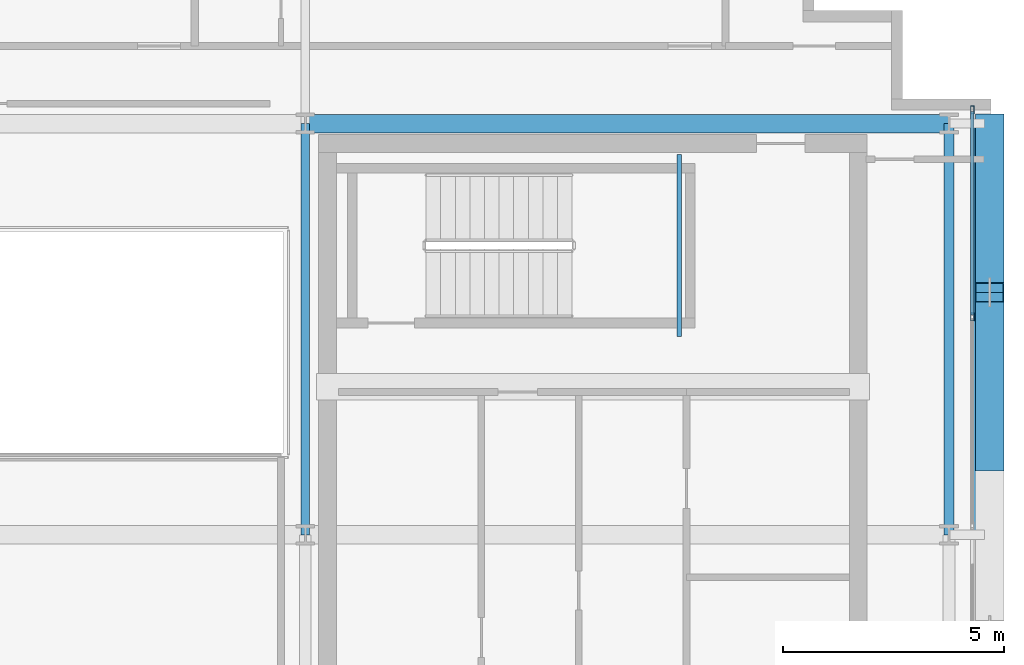
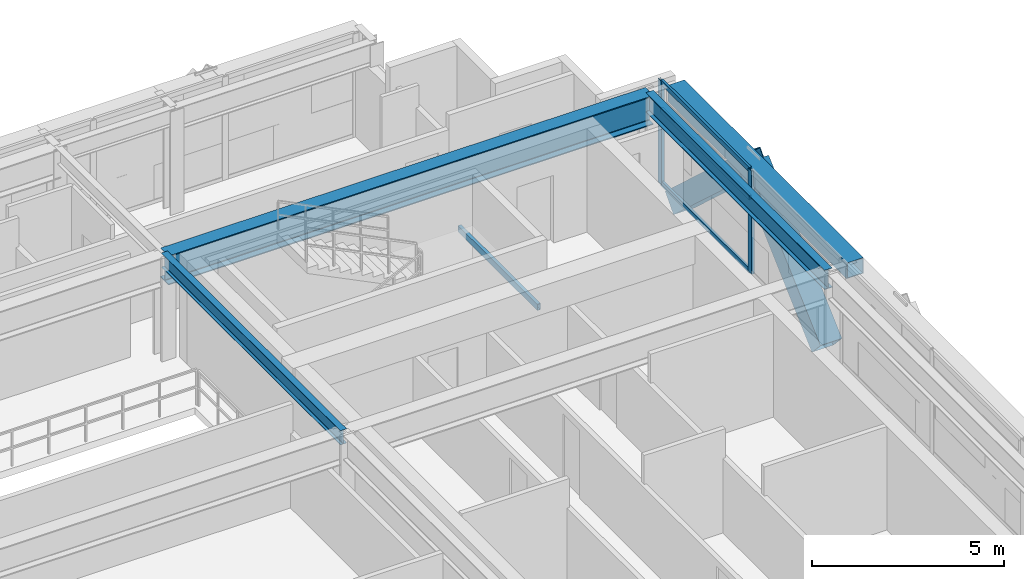
# One storey, part 13 of 28: 7 members, 5 beams, 1 element without a shape of its own.
"""IFC4 building model written with IfcOpenShell, lengths in metres."""

from ifc_helpers import new_model, si_unit, direction, frame, origin, origin_2d, place, context, subcontext, project, spatial, hollow_rectangle, i_section, extrude, source, transform, mapped, material, layer, layer_set, material_profile, profile_set, type_object, element, aggregate, save


model = new_model("IFC4")

# Units and contexts
model_context = context("Model", 3, precision=1e-05, world=origin(), true_north=direction((0.0, 1.0)))
body_context = subcontext(model_context, "Body", "Model", "MODEL_VIEW")
ifc_project = project(units=[si_unit("LENGTHUNIT", "METRE"), si_unit("AREAUNIT", "SQUARE_METRE"), si_unit("VOLUMEUNIT", "CUBIC_METRE"), si_unit("PLANEANGLEUNIT", "RADIAN"), si_unit("MASSUNIT", "GRAM", prefix="KILO")], contexts=[model_context])

# Site, building, storey
site_placement = place(None, origin())
site = spatial("IfcSite", under=ifc_project, at=site_placement, CompositionType="ELEMENT")
building_placement = place(site_placement, origin())
building = spatial("IfcBuilding", under=site, at=building_placement, Name="Ocotamira Hotel", CompositionType="ELEMENT")
storey_placement = place(building_placement, frame((0.0, 0.0, 243.60009765625)))
storey = spatial("IfcBuildingStorey", under=building, at=storey_placement, Name="L61", CompositionType="ELEMENT", Elevation=243.60009765625)

# Beams
ifc_material_1 = material(Name="Steel ASTM A500 Grade C", Category="steel")
ifc_material_profile_1 = material_profile(ifc_material_1, hollow_rectangle(XDim=0.10009765625, YDim=0.199951171875, WallThickness=0.008056640625, at=origin_2d()), Name="HSS200X100X8")
ifc_profile_set_1 = profile_set([ifc_material_profile_1], Name="Steel ASTM A500 Grade C")
beam_type_1 = type_object("IfcBeamType", Name="BM-STLDG-HSS200", PredefinedType="BEAM", material=ifc_profile_set_1)
shared_shape_1 = source(origin(), body_context, "Body", "SweptSolid", [
    extrude(hollow_rectangle(XDim=0.10009765625, YDim=0.199951171875, WallThickness=0.008056640625, at=origin_2d()), origin(), (0.0, 0.0, 1.0), 4.1201171875),
])
beam_1_placement = place(storey_placement, frame((48.949951171875, 32.6298828125, 1.5), z_axis=(0.0, 1.0, 0.0), x_axis=(-1.0, 0.0, 0.0)))
element("IfcBeam", 1, at=beam_1_placement, inside=storey, type_object=beam_type_1, Name="L61 Stair ST-4 Landing Bearer 1", PredefinedType="BEAM", context=body_context, shape_type="MappedRepresentation", body=[
    mapped(shared_shape_1, transform((0.0, 0.0, 0.0), scale=1.0)),
])
ifc_material_2 = material(Name="Steel ASTM A992 Grade 50", Category="steel")
ifc_material_profile_2 = material_profile(ifc_material_2, i_section(OverallWidth=0.41796875, OverallDepth=0.927001953125, WebThickness=0.019287109375, FlangeThickness=0.031982421875, FilletRadius=0.02392578125, at=origin_2d()), Name="W36X231")
ifc_profile_set_2 = profile_set([ifc_material_profile_2], Name="Steel ASTM A992 Grade 50")
beam_type_2 = type_object("IfcBeamType", Name="BM-GIRD-W36X231", PredefinedType="BEAM", material=ifc_profile_set_2)
shared_shape_2 = source(origin(), body_context, "Body", "SweptSolid", [
    extrude(i_section(OverallWidth=0.41796875, OverallDepth=0.927001953125, WebThickness=0.019287109375, FlangeThickness=0.031982421875, FilletRadius=0.02392578125, at=origin_2d()), origin(), (0.0, 0.0, 1.0), 14.550048828125),
])
beam_2_placement = place(storey_placement, frame((40.5, 37.449951171875, 2.81640625), z_axis=(1.0, 0.0, 0.0), x_axis=(0.0, 1.0, 0.0)))
element("IfcBeam", 2, at=beam_2_placement, inside=storey, type_object=beam_type_2, Name="L61 Girder Y37.45 X40.5-55.05", PredefinedType="BEAM", context=body_context, shape_type="MappedRepresentation", body=[
    mapped(shared_shape_2, transform((0.0, 0.0, 0.0), scale=1.0)),
])
ifc_material_profile_3 = material_profile(ifc_material_2, i_section(OverallWidth=0.22998046875, OverallDepth=0.616943359375, WebThickness=0.01318359375, FlangeThickness=0.022216796875, FilletRadius=0.012939453125, at=origin_2d()), Name="W24X94")
ifc_profile_set_3 = profile_set([ifc_material_profile_3], Name="Steel ASTM A992 Grade 50")
beam_type_3 = type_object("IfcBeamType", Name="BM-PRIM-W24X94", PredefinedType="BEAM", material=ifc_profile_set_3)
shared_shape_3 = source(origin(), body_context, "Body", "SweptSolid", [
    extrude(i_section(OverallWidth=0.22998046875, OverallDepth=0.616943359375, WebThickness=0.01318359375, FlangeThickness=0.022216796875, FilletRadius=0.012939453125, at=origin_2d()), origin(), (0.0, 0.0, 1.0), 9.300048828125),
])
beam_3_placement = place(storey_placement, frame((55.050048828125, 28.14990234375, 2.971435546875), z_axis=(0.0, 1.0, 0.0), x_axis=(-1.0, 0.0, 0.0)))
element("IfcBeam", 3, at=beam_3_placement, inside=storey, type_object=beam_type_3, Name="L61 Beam X55.05 Y28.15-37.45", PredefinedType="BEAM", context=body_context, shape_type="MappedRepresentation", body=[
    mapped(shared_shape_3, transform((0.0, 0.0, 0.0), scale=1.0)),
])
ifc_material_profile_4 = material_profile(ifc_material_2, i_section(OverallWidth=0.18994140625, OverallDepth=0.45703125, WebThickness=0.009033203125, FlangeThickness=0.014404296875, FilletRadius=0.010009765625, at=origin_2d()), Name="W18X50")
ifc_profile_set_4 = profile_set([ifc_material_profile_4], Name="Steel ASTM A992 Grade 50")
beam_type_4 = type_object("IfcBeamType", Name="BM-SEC-W18X50", PredefinedType="JOIST", material=ifc_profile_set_4)
shared_shape_4 = source(origin(), body_context, "Body", "SweptSolid", [
    extrude(i_section(OverallWidth=0.18994140625, OverallDepth=0.45703125, WebThickness=0.009033203125, FlangeThickness=0.014404296875, FilletRadius=0.010009765625, at=origin_2d()), origin(), (0.0, 0.0, 1.0), 9.300048828125),
])
beam_4_placement = place(storey_placement, frame((40.5, 28.14990234375, 3.051513671875), z_axis=(0.0, 1.0, 0.0), x_axis=(-1.0, 0.0, 0.0)))
element("IfcBeam", 4, at=beam_4_placement, inside=storey, type_object=beam_type_4, Name="L61 Beam X40.5 Y28.15-37.45", PredefinedType="JOIST", context=body_context, shape_type="MappedRepresentation", body=[
    mapped(shared_shape_4, transform((0.0, 0.0, 0.0), scale=1.0)),
])
ifc_material_profile_5 = material_profile(ifc_material_1, hollow_rectangle(XDim=0.5, YDim=0.5, WallThickness=0.02001953125, at=origin_2d()), Name="HSS500X500X20")
ifc_profile_set_5 = profile_set([ifc_material_profile_5], Name="Steel ASTM A500 Grade C")
beam_type_5 = type_object("IfcBeamType", Name="BM-SPAN-HSS500", PredefinedType="USERDEFINED", material=ifc_profile_set_5)
shared_shape_5 = source(origin(), body_context, "Body", "SweptSolid", [
    extrude(hollow_rectangle(XDim=0.5, YDim=0.5, WallThickness=0.02001953125, at=origin_2d()), origin(), (0.0, 0.0, 1.0), 9.300048828125),
])
beam_5_placement = place(storey_placement, frame((55.85009765625, 28.14990234375, 3.02978515625), z_axis=(0.0, 1.0, 0.0), x_axis=(-1.0, 0.0, 0.0)))
element("IfcBeam", 5, at=beam_5_placement, inside=storey, type_object=beam_type_5, Name="L61 Edge Spandrel E Y28.15-37.45", ObjectType="SPANDREL", PredefinedType="USERDEFINED", context=body_context, shape_type="MappedRepresentation", body=[
    mapped(shared_shape_5, transform((0.0, 0.0, 0.0), scale=1.0)),
])

# Members
ifc_material_3 = material(Name="Pale-metal coated steel ASTM A913 Grade 65", Category="steel")
ifc_material_profile_6 = material_profile(ifc_material_3, hollow_rectangle(XDim=0.64990234375, YDim=0.64990234375, WallThickness=0.02197265625, at=origin_2d()), Name="BOX650X650X22")
ifc_profile_set_6 = profile_set([ifc_material_profile_6], Name="Pale-metal coated steel ASTM A913 Grade 65")
member_type_1 = type_object("IfcMemberType", Name="MEM-EXO-BOX650", PredefinedType="BRACE", material=ifc_profile_set_6)
shared_shape_6 = source(origin(), body_context, "Body", "SweptSolid", [
    extrude(hollow_rectangle(XDim=0.64990234375, YDim=0.64990234375, WallThickness=0.02197265625, at=origin_2d()), origin(), (0.0, 0.0, 1.0), 5.178466796875),
])
for number, where, z_axis, x_axis, name in (
    (6, (55.969970703125, 29.816650390625, -0.47021484375), (0.0, 0.737019094846, 0.675871921174), (-1.0, 0.0, 0.0), "L61 Exoskeleton Diagrid E2.1"),
    (7, (55.969970703125, 37.449951171875, -0.47021484375), (0.0, -0.737019094846, 0.675871921174), (1.0, 0.0, 0.0), "L61 Exoskeleton Diagrid E2.2"),
):
    element("IfcMember", number, at=place(storey_placement, frame(where, z_axis=z_axis, x_axis=x_axis)), inside=storey, type_object=member_type_1, Name=name, PredefinedType="BRACE", context=body_context, shape_type="MappedRepresentation", body=[
        mapped(shared_shape_6, transform((0.0, 0.0, 0.0), scale=1.0)),
    ])

# Curtain wall, members
ifc_material_4 = material(Name="Anodised pale-metal aluminium and solar glass", Category="aluminium")
ifc_layer = layer(ifc_material_4, 0.239990234375)
ifc_layer_set = layer_set([ifc_layer], Name="Anodised pale-metal aluminium and solar glass")
curtain_wall_type = type_object("IfcCurtainWallType", Name="CW-SYS5-SKY", PredefinedType="NOTDEFINED", material=ifc_layer_set)
curtain_wall_placement = place(storey_placement, origin())
curtain_wall = element("IfcCurtainWall", 8, at=curtain_wall_placement, inside=storey, type_object=curtain_wall_type, Name="L61 Curtain Wall CW-5 CW-L61-E", PredefinedType="NOTDEFINED")
ifc_material_5 = material(Name="Anodised pale-metal aluminium 6063-T6", Category="aluminium")
ifc_material_profile_7 = material_profile(ifc_material_5, hollow_rectangle(XDim=0.080078125, YDim=0.179931640625, WallThickness=0.006103515625, at=origin_2d()), Name="HSS180X80X6")
ifc_profile_set_7 = profile_set([ifc_material_profile_7], Name="Anodised pale-metal aluminium 6063-T6")
member_type_2 = type_object("IfcMemberType", Name="CWM-180X75", PredefinedType="MULLION", material=ifc_profile_set_7)
shared_shape_7 = source(origin(), body_context, "Body", "SweptSolid", [
    extrude(hollow_rectangle(XDim=0.080078125, YDim=0.179931640625, WallThickness=0.006103515625, at=origin_2d()), origin(), (0.0, 0.0, 1.0), 3.27978515625),
])
member_1_placement = place(storey_placement, frame((55.580078125, 33.080078125, 0.0), z_axis=(0.0, 0.0, 1.0), x_axis=(-1.0, 0.0, 0.0)))
member_1 = element("IfcMember", 9, at=member_1_placement, type_object=member_type_2, Name="CW-5 mullion 5", PredefinedType="MULLION", context=body_context, shape_type="MappedRepresentation", body=[
    mapped(shared_shape_7, transform((0.0, 0.0, 0.0), scale=1.0)),
])
member_2_placement = place(storey_placement, frame((55.580078125, 37.760009765625, 0.0), z_axis=(0.0, 0.0, 1.0), x_axis=(-1.0, 0.0, 0.0)))
member_2 = element("IfcMember", 10, at=member_2_placement, type_object=member_type_2, Name="CW-5 mullion 6", PredefinedType="MULLION", context=body_context, shape_type="MappedRepresentation", body=[
    mapped(shared_shape_7, transform((0.0, 0.0, 0.0), scale=1.0)),
])
ifc_material_profile_8 = material_profile(ifc_material_5, hollow_rectangle(XDim=0.074951171875, YDim=0.14990234375, WallThickness=0.006103515625, at=origin_2d()), Name="HSS150X75X6")
ifc_profile_set_8 = profile_set([ifc_material_profile_8], Name="Anodised pale-metal aluminium 6063-T6")
member_type_3 = type_object("IfcMemberType", Name="CWT-150X75", PredefinedType="USERDEFINED", material=ifc_profile_set_8)
shared_shape_8 = source(origin(), body_context, "Body", "SweptSolid", [
    extrude(hollow_rectangle(XDim=0.074951171875, YDim=0.14990234375, WallThickness=0.006103515625, at=origin_2d()), origin(), (0.0, 0.0, 1.0), 4.599853515625),
])
member_3_placement = place(storey_placement, frame((55.580078125, 33.1201171875, 0.037353515625), z_axis=(0.0, 1.0, 0.0), x_axis=(-1.0, 0.0, 0.0)))
member_3 = element("IfcMember", 11, at=member_3_placement, type_object=member_type_3, Name="CW-5 transom 5.1", ObjectType="TRANSOM", PredefinedType="USERDEFINED", context=body_context, shape_type="MappedRepresentation", body=[
    mapped(shared_shape_8, transform((0.0, 0.0, 0.0), scale=1.0)),
])
member_4_placement = place(storey_placement, frame((55.580078125, 33.1201171875, 2.349853515625), z_axis=(0.0, 1.0, 0.0), x_axis=(-1.0, 0.0, 0.0)))
member_4 = element("IfcMember", 12, at=member_4_placement, type_object=member_type_3, Name="CW-5 transom 5.2", ObjectType="TRANSOM", PredefinedType="USERDEFINED", context=body_context, shape_type="MappedRepresentation", body=[
    mapped(shared_shape_8, transform((0.0, 0.0, 0.0), scale=1.0)),
])
member_5_placement = place(storey_placement, frame((55.580078125, 33.1201171875, 3.242431640625), z_axis=(0.0, 1.0, 0.0), x_axis=(-1.0, 0.0, 0.0)))
member_5 = element("IfcMember", 13, at=member_5_placement, type_object=member_type_3, Name="CW-5 transom 5.3", ObjectType="TRANSOM", PredefinedType="USERDEFINED", context=body_context, shape_type="MappedRepresentation", body=[
    mapped(shared_shape_8, transform((0.0, 0.0, 0.0), scale=1.0)),
])
aggregate(curtain_wall, [member_1, member_2, member_3, member_4, member_5])

save(model, "model.ifc")
